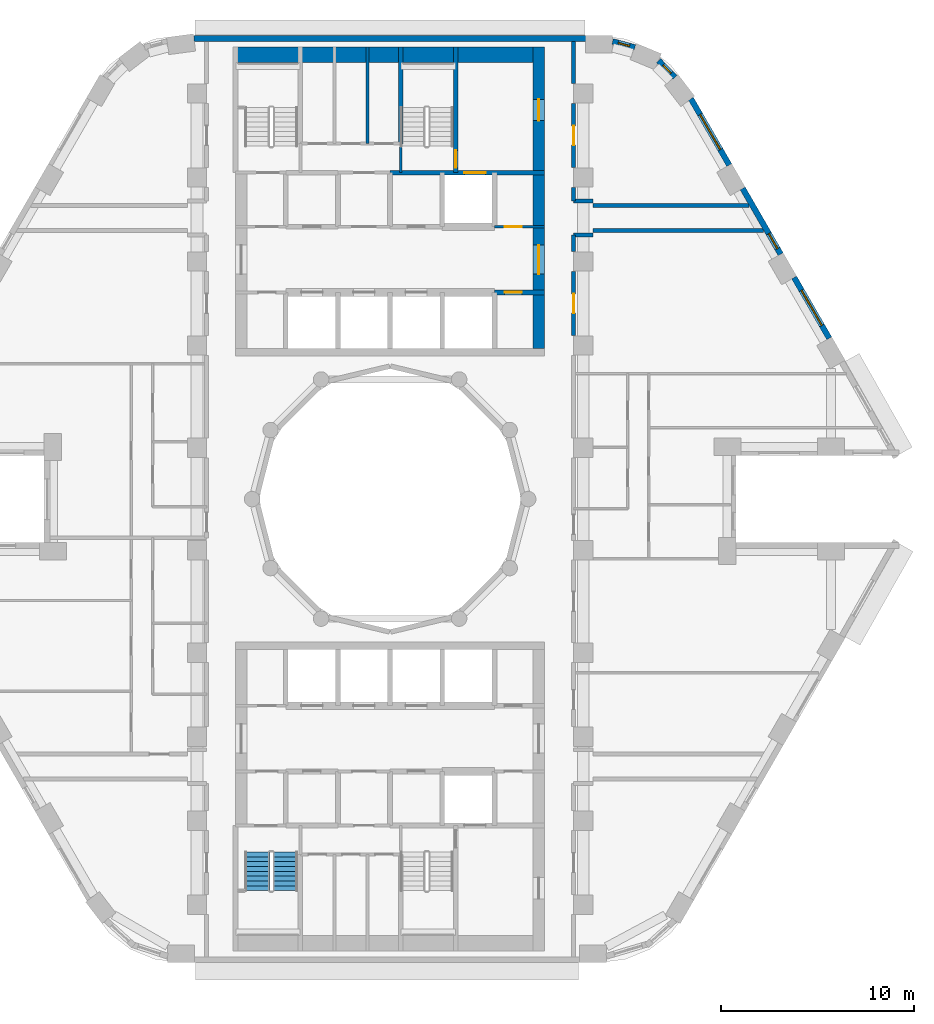
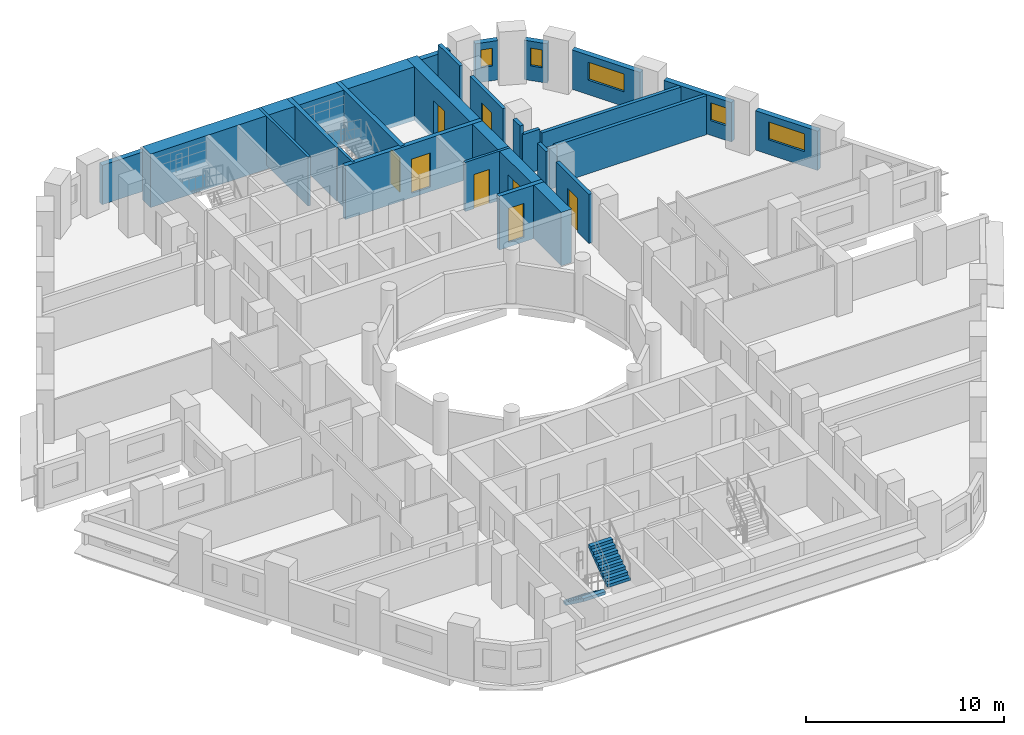
# One storey, part 8 of 12: 24 walls, 8 doors, 5 windows, 2 stair flights, 13 openings, 1 element without a shape of its own.
"""IFC4 building model written with IfcOpenShell, lengths in metres."""

from ifc_helpers import new_model, si_unit, direction, frame, frame_2d, origin, place, context, subcontext, project, spatial, polyline, rectangle, outline, extrude, material, layer, layer_set, type_object, element, fill, aggregate, save


model = new_model("IFC4")

# Units and contexts
model_context = context("Model", 3, precision=1e-05, world=origin(), true_north=direction((0.0, 1.0)))
body_context = subcontext(model_context, "Body", "Model", "MODEL_VIEW")
ifc_project = project(units=[si_unit("LENGTHUNIT", "METRE"), si_unit("AREAUNIT", "SQUARE_METRE"), si_unit("VOLUMEUNIT", "CUBIC_METRE"), si_unit("PLANEANGLEUNIT", "RADIAN"), si_unit("MASSUNIT", "GRAM", prefix="KILO")], contexts=[model_context])

# Site, building, storey
site_placement = place(None, origin())
site = spatial("IfcSite", under=ifc_project, at=site_placement, CompositionType="ELEMENT")
building_placement = place(site_placement, origin())
building = spatial("IfcBuilding", under=site, at=building_placement, Name="Nakaniwa Court", CompositionType="ELEMENT")
storey_placement = place(building_placement, frame((0.0, 0.0, 100.800048828125)))
storey = spatial("IfcBuildingStorey", under=building, at=storey_placement, Name="L26", CompositionType="ELEMENT", Elevation=100.800048828125)

# Wall, opening, door
ifc_material_1 = material(Name="Acoustic double stud partition")
ifc_layer_1 = layer(ifc_material_1, 0.199951171875)
ifc_layer_set_1 = layer_set([ifc_layer_1], Name="Acoustic double stud partition")
wall_type_1 = type_object("IfcWallType", Name="Acoustic double stud partition 200", PredefinedType="PARTITIONING", material=ifc_layer_set_1)
wall_1_placement = place(storey_placement, frame((89.5, 91.782958984375, 0.0), z_axis=(0.0, 0.0, 1.0), x_axis=(0.0, -1.0, 0.0)))
wall_1 = element("IfcWall", 1, at=wall_1_placement, inside=storey, type_object=wall_type_1, Name="Partition PW-076", PredefinedType="PARTITIONING", context=body_context, shape_type="SweptSolid", body=[
    extrude(rectangle(XDim=3.31591796875, YDim=0.199951171875, at=frame_2d((1.657958984375, 0.0))), origin(), (0.0, 0.0, 1.0), 3.02490234375),
])
opening_1_placement = place(wall_1_placement, frame((1.157958984375, 0.0, 0.0)))
opening_1 = element("IfcOpeningElement", 2, at=opening_1_placement, cuts=wall_1, Name="Opening D-02-02", PredefinedType="OPENING", context=body_context, shape_type="SweptSolid", body=[
    extrude(rectangle(XDim=1.0, YDim=2.10009765625, at=frame_2d((0.5, 1.050048828125))), frame((0.0, 0.10986328125, 0.0), z_axis=(0.0, -1.0, 0.0), x_axis=(1.0, 0.0, 0.0)), (0.0, 0.0, 1.0), 0.219970703125),
])
ifc_material_2 = material(Name="Solid core timber door set, black veneer", Category="wood")
door_type_1 = type_object("IfcDoorType", Name="Internal door 1000", OperationType="NOTDEFINED", PredefinedType="DOOR", material=ifc_material_2)
door_1_placement = place(opening_1_placement, origin())
door_1 = element("IfcDoor", 3, at=door_1_placement, inside=storey, type_object=door_type_1, Name="Door D-02-02 L26-034", OperationType="SINGLE_SWING_LEFT", OverallHeight=2.10009765625, OverallWidth=1.0, PredefinedType="DOOR", context=body_context, shape_type="SweptSolid", body=[
    extrude(rectangle(XDim=1.0, YDim=2.10009765625, at=frame_2d((0.5, 1.050048828125))), frame((0.0, 0.02490234375, 0.0), z_axis=(0.0, -1.0, 0.0), x_axis=(1.0, 0.0, 0.0)), (0.0, 0.0, 1.0), 0.050048828125),
])
fill(opening_1, door_1)

# Walls
wall_2_placement = place(storey_placement, frame((89.5, 92.81689453125, 0.0), z_axis=(0.0, 0.0, 1.0), x_axis=(0.0, 1.0, 0.0)))
element("IfcWall", 4, at=wall_2_placement, inside=storey, type_object=wall_type_1, Name="Partition PW-077", PredefinedType="PARTITIONING", context=body_context, shape_type="SweptSolid", body=[
    extrude(rectangle(XDim=0.861083984375, YDim=0.199951171875, at=frame_2d((0.4306640625, 0.0))), origin(), (0.0, 0.0, 1.0), 3.02490234375),
])
wall_3_placement = place(storey_placement, frame((89.5, 95.422119140625, 0.0), z_axis=(0.0, 0.0, 1.0), x_axis=(0.0, 1.0, 0.0)))
element("IfcWall", 5, at=wall_3_placement, inside=storey, type_object=wall_type_1, Name="Partition PW-078", PredefinedType="PARTITIONING", context=body_context, shape_type="SweptSolid", body=[
    extrude(rectangle(XDim=0.7109375, YDim=0.199951171875, at=frame_2d((0.35546875, 0.0))), origin(), (0.0, 0.0, 1.0), 3.02490234375),
])

# Wall, opening, door
wall_4_placement = place(storey_placement, frame((89.5, 100.48291015625, 0.0), z_axis=(0.0, 0.0, 1.0), x_axis=(0.0, -1.0, 0.0)))
wall_4 = element("IfcWall", 6, at=wall_4_placement, inside=storey, type_object=wall_type_1, Name="Partition PW-079", PredefinedType="PARTITIONING", context=body_context, shape_type="SweptSolid", body=[
    extrude(rectangle(XDim=3.31591796875, YDim=0.199951171875, at=frame_2d((1.657958984375, 0.0))), origin(), (0.0, 0.0, 1.0), 3.02490234375),
])
opening_2_placement = place(wall_4_placement, frame((1.157958984375, 0.0, 0.0)))
opening_2 = element("IfcOpeningElement", 7, at=opening_2_placement, cuts=wall_4, Name="Opening D-02-07", PredefinedType="OPENING", context=body_context, shape_type="SweptSolid", body=[
    extrude(rectangle(XDim=1.0, YDim=2.10009765625, at=frame_2d((0.5, 1.050048828125))), frame((0.0, 0.10986328125, 0.0), z_axis=(0.0, -1.0, 0.0), x_axis=(1.0, 0.0, 0.0)), (0.0, 0.0, 1.0), 0.219970703125),
])
door_2_placement = place(opening_2_placement, origin())
door_2 = element("IfcDoor", 8, at=door_2_placement, inside=storey, type_object=door_type_1, Name="Door D-02-07 L26-049", OperationType="SINGLE_SWING_RIGHT", OverallHeight=2.10009765625, OverallWidth=1.0, PredefinedType="DOOR", context=body_context, shape_type="SweptSolid", body=[
    extrude(rectangle(XDim=1.0, YDim=2.10009765625, at=frame_2d((0.5, 1.050048828125))), frame((0.0, 0.02490234375, 0.0), z_axis=(0.0, -1.0, 0.0), x_axis=(1.0, 0.0, 0.0)), (0.0, 0.0, 1.0), 0.050048828125),
])
fill(opening_2, door_2)

# Walls
wall_5_placement = place(storey_placement, frame((89.5, 101.51708984375, 0.0), z_axis=(0.0, 0.0, 1.0), x_axis=(0.0, 1.0, 0.0)))
element("IfcWall", 9, at=wall_5_placement, inside=storey, type_object=wall_type_1, Name="Partition PW-080", PredefinedType="PARTITIONING", context=body_context, shape_type="SweptSolid", body=[
    extrude(rectangle(XDim=2.182861328125, YDim=0.199951171875, at=frame_2d((1.09130859375, 0.0))), origin(), (0.0, 0.0, 1.0), 3.02490234375),
])
wall_6_placement = place(storey_placement, frame((90.5, 93.89990234375, 0.0), z_axis=(0.0, 0.0, 1.0), x_axis=(1.0, 0.0, 0.0)))
element("IfcWall", 10, at=wall_6_placement, inside=storey, type_object=wall_type_1, Name="Partition PW-082", PredefinedType="PARTITIONING", context=body_context, shape_type="SweptSolid", body=[
    extrude(rectangle(XDim=8.84130859375, YDim=0.199951171875, at=frame_2d((4.420654296875, 0.0))), origin(), (0.0, 0.0, 1.0), 2.405029296875),
])
for number, where, z_axis, x_axis, name in (
    (11, (89.5, 93.675048828125, 0.0), (0.0, 0.0, 1.0), (1.0, 0.0, 0.0), "Partition PW-084"),
    (12, (89.5, 95.425048828125, 0.0), (0.0, 0.0, 1.0), (1.0, 0.0, 0.0), "Partition PW-086"),
):
    element("IfcWall", number, at=place(storey_placement, frame(where, z_axis=z_axis, x_axis=x_axis)), inside=storey, type_object=wall_type_1, Name=name, PredefinedType="PARTITIONING", context=body_context, shape_type="SweptSolid", body=[
        extrude(rectangle(XDim=1.0, YDim=0.199951171875, at=frame_2d((0.5, 0.0))), origin(), (0.0, 0.0, 1.0), 2.5048828125),
    ])
wall_7_placement = place(storey_placement, frame((90.5, 95.199951171875, 0.0), z_axis=(0.0, 0.0, 1.0), x_axis=(1.0, 0.0, 0.0)))
element("IfcWall", 13, at=wall_7_placement, inside=storey, type_object=wall_type_1, Name="Partition PW-088", PredefinedType="PARTITIONING", context=body_context, shape_type="SweptSolid", body=[
    extrude(rectangle(XDim=8.0908203125, YDim=0.199951171875, at=frame_2d((4.04541015625, 0.0))), origin(), (0.0, 0.0, 1.0), 2.405029296875),
])

# Wall, opening, window
ifc_material_3 = material(Name="Charcoal ceramic cladding")
ifc_layer_2 = layer(ifc_material_3, 0.02, Name="Ceramic cladding")
ifc_material_4 = material(Name="Ventilated air cavity")
ifc_layer_3 = layer(ifc_material_4, 0.04, ventilated=True, Name="Ventilated cavity")
ifc_material_5 = material(Name="Mineral wool insulation")
ifc_layer_4 = layer(ifc_material_5, 0.1, Name="Insulation")
ifc_material_6 = material(Name="Cement bonded sheathing board")
ifc_layer_5 = layer(ifc_material_6, 0.012, Name="Sheathing")
ifc_material_7 = material(Name="Cold-formed galvanised stud frame with mineral wool infill")
ifc_layer_6 = layer(ifc_material_7, 0.1, Name="Stud frame")
ifc_material_8 = material(Name="Fire-rated gypsum plasterboard lining")
ifc_layer_7 = layer(ifc_material_8, 0.028, Name="Lining")
ifc_layer_set_2 = layer_set([ifc_layer_2, ifc_layer_3, ifc_layer_4, ifc_layer_5, ifc_layer_6, ifc_layer_7], Name="Charcoal ceramic faced external wall system")
wall_type_2 = type_object("IfcWallType", Name="Black ceramic faced external wall 300", PredefinedType="SOLIDWALL", material=ifc_layer_set_2)
wall_8_placement = place(storey_placement, frame((102.734619140625, 88.322509765625, 0.0), z_axis=(0.0, 0.0, 1.0), x_axis=(-0.500009139881, 0.866020126807, 0.0)))
wall_8 = element("IfcWall", 14, at=wall_8_placement, inside=storey, type_object=wall_type_2, Name="L26 external wall 03", PredefinedType="SOLIDWALL", context=body_context, shape_type="SweptSolid", body=[
    extrude(rectangle(XDim=3.63671875, YDim=0.300048828125, at=frame_2d((1.818359375, 0.0))), origin(), (0.0, 0.0, 1.0), 2.425048828125),
])
opening_3_placement = place(wall_8_placement, frame((0.768310546875, 0.0, 0.89990234375)))
opening_3 = element("IfcOpeningElement", 15, at=opening_3_placement, cuts=wall_8, Name="Opening W7.05", PredefinedType="OPENING", context=body_context, shape_type="SweptSolid", body=[
    extrude(rectangle(XDim=2.10009765625, YDim=1.10009765625, at=frame_2d((1.050048828125, 0.550048828125))), frame((0.0, 0.159912109375, 0.0), z_axis=(0.0, -1.0, 0.0), x_axis=(1.0, 0.0, 0.0)), (0.0, 0.0, 1.0), 0.320068359375),
])
ifc_material_9 = material(Name="Black anodised aluminium frame with dark low-E laminated double glazing", Category="aluminium")
window_type_1 = type_object("IfcWindowType", Name="Dark glass window 2100x1100 sill 900", PartitioningType="SINGLE_PANEL", PredefinedType="WINDOW", material=ifc_material_9)
window_1_placement = place(opening_3_placement, origin())
window_1 = element("IfcWindow", 16, at=window_1_placement, inside=storey, type_object=window_type_1, Name="L26 habitable room window 03-0", OverallHeight=1.10009765625, OverallWidth=2.10009765625, PartitioningType="SINGLE_PANEL", PredefinedType="WINDOW", context=body_context, shape_type="SweptSolid", body=[
    extrude(rectangle(XDim=2.10009765625, YDim=1.10009765625, at=frame_2d((1.050048828125, 0.550048828125))), frame((0.0, 0.030029296875, 0.0), z_axis=(0.0, -1.0, 0.0), x_axis=(1.0, 0.0, 0.0)), (0.0, 0.0, 1.0), 0.06005859375),
])
fill(opening_3, window_1)

wall_9_placement = place(storey_placement, frame((100.22021484375, 92.677490234375, 0.0), z_axis=(0.0, 0.0, 1.0), x_axis=(-0.499957037901, 0.866050206543, 0.0)))
wall_9 = element("IfcWall", 17, at=wall_9_placement, inside=storey, type_object=wall_type_2, Name="L26 external wall 04", PredefinedType="SOLIDWALL", context=body_context, shape_type="SweptSolid", body=[
    extrude(rectangle(XDim=3.933837890625, YDim=0.300048828125, at=frame_2d((1.966796875, 0.0))), origin(), (0.0, 0.0, 1.0), 2.425048828125),
])
opening_4_placement = place(wall_9_placement, frame((0.329833984375, 0.0, 0.89990234375)))
opening_4 = element("IfcOpeningElement", 18, at=opening_4_placement, cuts=wall_9, Name="Opening W9.06", PredefinedType="OPENING", context=body_context, shape_type="SweptSolid", body=[
    extrude(rectangle(XDim=0.89990234375, YDim=1.10009765625, at=frame_2d((0.449951171875, 0.550048828125))), frame((0.0, 0.159912109375, 0.0), z_axis=(0.0, -1.0, 0.0), x_axis=(1.0, 0.0, 0.0)), (0.0, 0.0, 1.0), 0.320068359375),
])
window_type_2 = type_object("IfcWindowType", Name="Dark glass window 900x1100 sill 900", PartitioningType="SINGLE_PANEL", PredefinedType="WINDOW", material=ifc_material_9)
window_2_placement = place(opening_4_placement, origin())
window_2 = element("IfcWindow", 19, at=window_2_placement, inside=storey, type_object=window_type_2, Name="L26 habitable room window 04-0", OverallHeight=1.10009765625, OverallWidth=0.89990234375, PartitioningType="SINGLE_PANEL", PredefinedType="WINDOW", context=body_context, shape_type="SweptSolid", body=[
    extrude(rectangle(XDim=0.89990234375, YDim=1.10009765625, at=frame_2d((0.449951171875, 0.550048828125))), frame((0.0, 0.030029296875, 0.0), z_axis=(0.0, -1.0, 0.0), x_axis=(1.0, 0.0, 0.0)), (0.0, 0.0, 1.0), 0.06005859375),
])
fill(opening_4, window_2)

wall_10_placement = place(storey_placement, frame((97.557373046875, 97.289794921875, 0.0), z_axis=(0.0, 0.0, 1.0), x_axis=(-0.500043828347, 0.866000097998, 0.0)))
wall_10 = element("IfcWall", 20, at=wall_10_placement, inside=storey, type_object=wall_type_2, Name="L26 external wall 05", PredefinedType="SOLIDWALL", context=body_context, shape_type="SweptSolid", body=[
    extrude(rectangle(XDim=3.967529296875, YDim=0.300048828125, at=frame_2d((1.98388671875, 0.0))), origin(), (0.0, 0.0, 1.0), 2.425048828125),
])
opening_5_placement = place(wall_10_placement, frame((0.92236328125, 0.0, 0.89990234375)))
opening_5 = element("IfcOpeningElement", 21, at=opening_5_placement, cuts=wall_10, Name="Opening W7.07", PredefinedType="OPENING", context=body_context, shape_type="SweptSolid", body=[
    extrude(rectangle(XDim=2.10009765625, YDim=1.10009765625, at=frame_2d((1.050048828125, 0.550048828125))), frame((0.0, 0.159912109375, 0.0), z_axis=(0.0, -1.0, 0.0), x_axis=(1.0, 0.0, 0.0)), (0.0, 0.0, 1.0), 0.320068359375),
])
window_3_placement = place(opening_5_placement, origin())
window_3 = element("IfcWindow", 22, at=window_3_placement, inside=storey, type_object=window_type_1, Name="L26 habitable room window 05-0", OverallHeight=1.10009765625, OverallWidth=2.10009765625, PartitioningType="SINGLE_PANEL", PredefinedType="WINDOW", context=body_context, shape_type="SweptSolid", body=[
    extrude(rectangle(XDim=2.10009765625, YDim=1.10009765625, at=frame_2d((1.050048828125, 0.550048828125))), frame((0.0, 0.030029296875, 0.0), z_axis=(0.0, -1.0, 0.0), x_axis=(1.0, 0.0, 0.0)), (0.0, 0.0, 1.0), 0.06005859375),
])
fill(opening_5, window_3)

wall_11_placement = place(storey_placement, frame((94.738037109375, 101.839111328125, 0.0), z_axis=(0.0, 0.0, 1.0), x_axis=(-0.697032216592, 0.717039809936, 0.0)))
wall_11 = element("IfcWall", 23, at=wall_11_placement, inside=storey, type_object=wall_type_2, Name="L26 external wall 06", PredefinedType="SOLIDWALL", context=body_context, shape_type="SweptSolid", body=[
    extrude(rectangle(XDim=1.2080078125, YDim=0.300048828125, at=frame_2d((0.60400390625, 0.0))), origin(), (0.0, 0.0, 1.0), 2.425048828125),
])
opening_6_placement = place(wall_11_placement, frame((0.279296875, 0.0, 0.89990234375)))
opening_6 = element("IfcOpeningElement", 24, at=opening_6_placement, cuts=wall_11, Name="Opening W8.08", PredefinedType="OPENING", context=body_context, shape_type="SweptSolid", body=[
    extrude(rectangle(XDim=0.60009765625, YDim=1.10009765625, at=frame_2d((0.300048828125, 0.550048828125))), frame((0.0, 0.159912109375, 0.0), z_axis=(0.0, -1.0, 0.0), x_axis=(1.0, 0.0, 0.0)), (0.0, 0.0, 1.0), 0.320068359375),
])
window_type_3 = type_object("IfcWindowType", Name="Dark glass window 600x1100 sill 900", PartitioningType="SINGLE_PANEL", PredefinedType="WINDOW", material=ifc_material_9)
window_4_placement = place(opening_6_placement, origin())
window_4 = element("IfcWindow", 25, at=window_4_placement, inside=storey, type_object=window_type_3, Name="L26 habitable room window 06-0", OverallHeight=1.10009765625, OverallWidth=0.60009765625, PartitioningType="SINGLE_PANEL", PredefinedType="WINDOW", context=body_context, shape_type="SweptSolid", body=[
    extrude(rectangle(XDim=0.60009765625, YDim=1.10009765625, at=frame_2d((0.300048828125, 0.550048828125))), frame((0.0, 0.030029296875, 0.0), z_axis=(0.0, -1.0, 0.0), x_axis=(1.0, 0.0, 0.0)), (0.0, 0.0, 1.0), 0.06005859375),
])
fill(opening_6, window_4)

wall_12_placement = place(storey_placement, frame((92.669189453125, 103.3818359375, 0.0), z_axis=(0.0, 0.0, 1.0), x_axis=(-0.965278131029, 0.261224290136, 0.0)))
wall_12 = element("IfcWall", 26, at=wall_12_placement, inside=storey, type_object=wall_type_2, Name="L26 external wall 07", PredefinedType="SOLIDWALL", context=body_context, shape_type="SweptSolid", body=[
    extrude(rectangle(XDim=1.189697265625, YDim=0.300048828125, at=frame_2d((0.5947265625, 0.0))), origin(), (0.0, 0.0, 1.0), 2.425048828125),
])
opening_7_placement = place(wall_12_placement, frame((0.28466796875, 0.0, 0.89990234375)))
opening_7 = element("IfcOpeningElement", 27, at=opening_7_placement, cuts=wall_12, Name="Opening W8.09", PredefinedType="OPENING", context=body_context, shape_type="SweptSolid", body=[
    extrude(rectangle(XDim=0.60009765625, YDim=1.10009765625, at=frame_2d((0.300048828125, 0.550048828125))), frame((0.0, 0.159912109375, 0.0), z_axis=(0.0, -1.0, 0.0), x_axis=(1.0, 0.0, 0.0)), (0.0, 0.0, 1.0), 0.320068359375),
])
window_5_placement = place(opening_7_placement, origin())
window_5 = element("IfcWindow", 28, at=window_5_placement, inside=storey, type_object=window_type_3, Name="L26 habitable room window 07-0", OverallHeight=1.10009765625, OverallWidth=0.60009765625, PartitioningType="SINGLE_PANEL", PredefinedType="WINDOW", context=body_context, shape_type="SweptSolid", body=[
    extrude(rectangle(XDim=0.60009765625, YDim=1.10009765625, at=frame_2d((0.300048828125, 0.550048828125))), frame((0.0, 0.030029296875, 0.0), z_axis=(0.0, -1.0, 0.0), x_axis=(1.0, 0.0, 0.0)), (0.0, 0.0, 1.0), 0.06005859375),
])
fill(opening_7, window_5)

# Wall
wall_13_placement = place(storey_placement, frame((90.128662109375, 103.85009765625, 0.0), z_axis=(0.0, 0.0, 1.0), x_axis=(-1.0, 0.0, 0.0)))
element("IfcWall", 29, at=wall_13_placement, inside=storey, type_object=wall_type_2, Name="L26 external wall 08", PredefinedType="SOLIDWALL", context=body_context, shape_type="SweptSolid", body=[
    extrude(rectangle(XDim=20.290771484375, YDim=0.300048828125, at=frame_2d((10.1455078125, 0.0))), origin(), (0.0, 0.0, 1.0), 2.425048828125),
])

# Wall, opening, door
ifc_material_10 = material(Name="Blockwork partition", Category="masonry")
ifc_layer_8 = layer(ifc_material_10, 0.14990234375)
ifc_layer_set_3 = layer_set([ifc_layer_8], Name="Blockwork partition")
wall_type_3 = type_object("IfcWallType", Name="Blockwork partition 150", PredefinedType="PARTITIONING", material=ifc_layer_set_3)
wall_14_placement = place(storey_placement, frame((85.39697265625, 94.10009765625, 0.0), z_axis=(0.0, 0.0, 1.0), x_axis=(1.0, 0.0, 0.0)))
wall_14 = element("IfcWall", 30, at=wall_14_placement, inside=storey, type_object=wall_type_3, Name="Partition PW-018", PredefinedType="PARTITIONING", context=body_context, shape_type="SweptSolid", body=[
    extrude(rectangle(XDim=2.60302734375, YDim=0.14990234375, at=frame_2d((1.301513671875, 0.0))), origin(), (0.0, 0.0, 1.0), 3.02490234375),
])
opening_8_placement = place(wall_14_placement, frame((0.528076171875, 0.0, 0.0)))
opening_8 = element("IfcOpeningElement", 31, at=opening_8_placement, cuts=wall_14, Name="Opening D-05-05", PredefinedType="OPENING", context=body_context, shape_type="SweptSolid", body=[
    extrude(rectangle(XDim=0.89990234375, YDim=2.10009765625, at=frame_2d((0.449951171875, 1.050048828125))), frame((0.0, 0.0849609375, 0.0), z_axis=(0.0, -1.0, 0.0), x_axis=(1.0, 0.0, 0.0)), (0.0, 0.0, 1.0), 0.169921875),
])
ifc_material_11 = material(Name="Fire rated steel door set", Category="steel")
door_type_2 = type_object("IfcDoorType", Name="Service room door 900", OperationType="NOTDEFINED", PredefinedType="DOOR", material=ifc_material_11)
door_3_placement = place(opening_8_placement, origin())
door_3 = element("IfcDoor", 32, at=door_3_placement, inside=storey, type_object=door_type_2, Name="Door D-05-05 L26-007", OperationType="SINGLE_SWING_RIGHT", OverallHeight=2.10009765625, OverallWidth=0.89990234375, PredefinedType="DOOR", context=body_context, shape_type="SweptSolid", body=[
    extrude(rectangle(XDim=0.89990234375, YDim=2.10009765625, at=frame_2d((0.449951171875, 1.050048828125))), frame((0.0, 0.02490234375, 0.0), z_axis=(0.0, -1.0, 0.0), x_axis=(1.0, 0.0, 0.0)), (0.0, 0.0, 1.0), 0.050048828125),
])
fill(opening_8, door_3)

# Wall
wall_15_placement = place(storey_placement, frame((78.833984375, 98.39990234375, 0.0), z_axis=(0.0, 0.0, 1.0), x_axis=(0.0, 1.0, 0.0)))
element("IfcWall", 33, at=wall_15_placement, inside=storey, type_object=wall_type_3, Name="Partition PW-034", PredefinedType="PARTITIONING", context=body_context, shape_type="SweptSolid", body=[
    extrude(rectangle(XDim=5.0, YDim=0.14990234375, at=frame_2d((2.5, 0.0))), origin(), (0.0, 0.0, 1.0), 3.02490234375),
])

# Wall, openings, doors
ifc_material_12 = material(Name="Concrete C80/100", Category="concrete")
ifc_layer_9 = layer(ifc_material_12, 0.60009765625)
ifc_layer_set_4 = layer_set([ifc_layer_9], Name="Concrete C80/100")
wall_type_4 = type_object("IfcWallType", Name="Concrete core side wall 600 C80", PredefinedType="SHEAR", material=ifc_layer_set_4)
wall_16_placement = place(storey_placement, frame((87.699951171875, 103.39990234375, -0.275146484375), z_axis=(0.0, 0.0, 1.0), x_axis=(0.0, -1.0, 0.0)))
wall_16 = element("IfcWall", 34, at=wall_16_placement, inside=storey, type_object=wall_type_4, Name="Core wall SW-15", PredefinedType="SHEAR", context=body_context, shape_type="SweptSolid", body=[
    extrude(rectangle(XDim=15.599853515625, YDim=0.60009765625, at=frame_2d((7.7998046875, 0.0))), origin(), (0.0, 0.0, 1.0), 3.300048828125),
])
opening_9_placement = place(wall_16_placement, frame((10.25, 0.0, 0.27490234375)))
opening_9 = element("IfcOpeningElement", 35, at=opening_9_placement, cuts=wall_16, Name="Opening D-07-01", PredefinedType="OPENING", context=body_context, shape_type="SweptSolid", body=[
    extrude(rectangle(XDim=1.5, YDim=2.10009765625, at=frame_2d((0.75, 1.050048828125))), frame((0.0, 0.31005859375, 0.0), z_axis=(0.0, -1.0, 0.0), x_axis=(1.0, 0.0, 0.0)), (0.0, 0.0, 1.0), 0.6201171875),
])
opening_10_placement = place(wall_16_placement, frame((2.699951171875, 0.0, 0.27490234375)))
opening_10 = element("IfcOpeningElement", 36, at=opening_10_placement, cuts=wall_16, Name="Opening D-10-01", PredefinedType="OPENING", context=body_context, shape_type="SweptSolid", body=[
    extrude(rectangle(XDim=1.10009765625, YDim=2.10009765625, at=frame_2d((0.550048828125, 1.050048828125))), frame((0.0, 0.31005859375, 0.0), z_axis=(0.0, -1.0, 0.0), x_axis=(1.0, 0.0, 0.0)), (0.0, 0.0, 1.0), 0.6201171875),
])
door_type_3 = type_object("IfcDoorType", Name="Firefighting lobby door 1100", OperationType="NOTDEFINED", PredefinedType="DOOR", material=ifc_material_11)
door_4_placement = place(opening_10_placement, origin())
door_4 = element("IfcDoor", 37, at=door_4_placement, inside=storey, type_object=door_type_3, Name="Door D-10-01 L26-053", OperationType="SINGLE_SWING_RIGHT", OverallHeight=2.10009765625, OverallWidth=1.10009765625, PredefinedType="DOOR", context=body_context, shape_type="SweptSolid", body=[
    extrude(rectangle(XDim=1.10009765625, YDim=2.10009765625, at=frame_2d((0.550048828125, 1.050048828125))), frame((0.0, 0.02490234375, 0.0), z_axis=(0.0, -1.0, 0.0), x_axis=(1.0, 0.0, 0.0)), (0.0, 0.0, 1.0), 0.050048828125),
])
fill(opening_10, door_4)
ifc_material_13 = material(Name="Glazed fire rated steel double door set", Category="steel")
door_type_4 = type_object("IfcDoorType", Name="Lobby double door 1500", OperationType="NOTDEFINED", PredefinedType="DOOR", material=ifc_material_13)
door_5_placement = place(opening_9_placement, origin())
door_5 = element("IfcDoor", 38, at=door_5_placement, inside=storey, type_object=door_type_4, Name="Door D-07-01 L26-051", OperationType="DOUBLE_DOOR_SINGLE_SWING", OverallHeight=2.10009765625, OverallWidth=1.5, PredefinedType="DOOR", context=body_context, shape_type="SweptSolid", body=[
    extrude(rectangle(XDim=1.5, YDim=2.10009765625, at=frame_2d((0.75, 1.050048828125))), frame((0.0, 0.02490234375, 0.0), z_axis=(0.0, -1.0, 0.0), x_axis=(1.0, 0.0, 0.0)), (0.0, 0.0, 1.0), 0.050048828125),
])
fill(opening_9, door_5)

# Walls
ifc_layer_10 = layer(ifc_material_12, 0.14990234375)
ifc_layer_set_5 = layer_set([ifc_layer_10], Name="Concrete C80/100")
wall_type_5 = type_object("IfcWallType", Name="Concrete core wall 150 C80", PredefinedType="SHEAR", material=ifc_layer_set_5)
wall_17_placement = place(storey_placement, frame((80.550048828125, 96.89990234375, -0.275146484375), z_axis=(0.0, 0.0, 1.0), x_axis=(0.0, 1.0, 0.0)))
element("IfcWall", 39, at=wall_17_placement, inside=storey, type_object=wall_type_5, Name="Core wall SW-30", PredefinedType="SHEAR", context=body_context, shape_type="SweptSolid", body=[
    extrude(rectangle(XDim=1.503173828125, YDim=0.14990234375, at=frame_2d((0.75146484375, 0.0))), origin(), (0.0, 0.0, 1.0), 3.300048828125),
])
ifc_layer_11 = layer(ifc_material_12, 0.800048828125)
ifc_layer_set_6 = layer_set([ifc_layer_11], Name="Concrete C80/100")
wall_type_6 = type_object("IfcWallType", Name="Concrete core wall 800 C80", PredefinedType="SHEAR", material=ifc_layer_set_6)
wall_18_placement = place(storey_placement, frame((72.00390625, 103.0, -0.275146484375), z_axis=(0.0, 0.0, 1.0), x_axis=(1.0, 0.0, 0.0)))
element("IfcWall", 40, at=wall_18_placement, inside=storey, type_object=wall_type_6, Name="Core wall SW-130", PredefinedType="SHEAR", context=body_context, shape_type="SweptSolid", body=[
    extrude(rectangle(XDim=15.9921875, YDim=0.800048828125, at=frame_2d((7.99609375, 0.0))), origin(), (0.0, 0.0, 1.0), 3.300048828125),
])

# Wall, opening, door
ifc_layer_12 = layer(ifc_material_12, 0.25)
ifc_layer_set_7 = layer_set([ifc_layer_12], Name="Concrete C80/100")
wall_type_7 = type_object("IfcWallType", Name="Concrete shaft wall 250 C80", PredefinedType="SHEAR", material=ifc_layer_set_7)
wall_19_placement = place(storey_placement, frame((88.0, 90.699951171875, -0.275146484375), z_axis=(0.0, 0.0, 1.0), x_axis=(-1.0, 0.0, 0.0)))
wall_19 = element("IfcWall", 41, at=wall_19_placement, inside=storey, type_object=wall_type_7, Name="Core wall SW-14", PredefinedType="SHEAR", context=body_context, shape_type="SweptSolid", body=[
    extrude(rectangle(XDim=2.60009765625, YDim=0.25, at=frame_2d((1.300048828125, 0.0))), origin(), (0.0, 0.0, 1.0), 3.300048828125),
])
opening_11_placement = place(wall_19_placement, frame((1.175048828125, 0.0, 0.27490234375)))
opening_11 = element("IfcOpeningElement", 42, at=opening_11_placement, cuts=wall_19, Name="Opening D-05-02", PredefinedType="OPENING", context=body_context, shape_type="SweptSolid", body=[
    extrude(rectangle(XDim=0.89990234375, YDim=2.10009765625, at=frame_2d((0.449951171875, 1.050048828125))), frame((0.0, 0.135009765625, 0.0), z_axis=(0.0, -1.0, 0.0), x_axis=(1.0, 0.0, 0.0)), (0.0, 0.0, 1.0), 0.27001953125),
])
door_6_placement = place(opening_11_placement, origin())
door_6 = element("IfcDoor", 43, at=door_6_placement, inside=storey, type_object=door_type_2, Name="Door D-05-02 L26-002", OperationType="SINGLE_SWING_LEFT", OverallHeight=2.10009765625, OverallWidth=0.89990234375, PredefinedType="DOOR", context=body_context, shape_type="SweptSolid", body=[
    extrude(rectangle(XDim=0.89990234375, YDim=2.10009765625, at=frame_2d((0.449951171875, 1.050048828125))), frame((0.0, 0.02490234375, 0.0), z_axis=(0.0, -1.0, 0.0), x_axis=(1.0, 0.0, 0.0)), (0.0, 0.0, 1.0), 0.050048828125),
])
fill(opening_11, door_6)

wall_20_placement = place(storey_placement, frame((80.0, 96.89990234375, -0.275146484375), z_axis=(0.0, 0.0, 1.0), x_axis=(1.0, 0.0, 0.0)))
wall_20 = element("IfcWall", 44, at=wall_20_placement, inside=storey, type_object=wall_type_7, Name="Core wall SW-24", PredefinedType="SHEAR", context=body_context, shape_type="SweptSolid", body=[
    extrude(rectangle(XDim=8.0, YDim=0.25, at=frame_2d((4.0, 0.0))), origin(), (0.0, 0.0, 1.0), 3.300048828125),
])
opening_12_placement = place(wall_20_placement, frame((3.84912109375, 0.0, 0.27490234375)))
opening_12 = element("IfcOpeningElement", 45, at=opening_12_placement, cuts=wall_20, Name="Opening LD04", PredefinedType="OPENING", context=body_context, shape_type="SweptSolid", body=[
    extrude(rectangle(XDim=1.10009765625, YDim=2.10009765625, at=frame_2d((0.550048828125, 1.050048828125))), frame((0.0, 0.135009765625, 0.0), z_axis=(0.0, -1.0, 0.0), x_axis=(1.0, 0.0, 0.0)), (0.0, 0.0, 1.0), 0.27001953125),
])
ifc_material_14 = material(Name="Stainless steel sliding lift landing door", Category="steel")
door_type_5 = type_object("IfcDoorType", Name="Lift landing door 1100", OperationType="NOTDEFINED", PredefinedType="DOOR", material=ifc_material_14)
door_7_placement = place(opening_12_placement, origin())
door_7 = element("IfcDoor", 46, at=door_7_placement, inside=storey, type_object=door_type_5, Name="Lift landing door LD04 L26-004", OperationType="SLIDING_TO_LEFT", OverallHeight=2.10009765625, OverallWidth=1.10009765625, PredefinedType="DOOR", context=body_context, shape_type="SweptSolid", body=[
    extrude(rectangle(XDim=1.10009765625, YDim=2.10009765625, at=frame_2d((0.550048828125, 1.050048828125))), frame((0.0, 0.02490234375, 0.0), z_axis=(0.0, -1.0, 0.0), x_axis=(1.0, 0.0, 0.0)), (0.0, 0.0, 1.0), 0.050048828125),
])
fill(opening_12, door_7)

wall_21_placement = place(storey_placement, frame((83.39990234375, 103.39990234375, -0.275146484375), z_axis=(0.0, 0.0, 1.0), x_axis=(0.0, -1.0, 0.0)))
wall_21 = element("IfcWall", 47, at=wall_21_placement, inside=storey, type_object=wall_type_7, Name="Core wall SW-29", PredefinedType="SHEAR", context=body_context, shape_type="SweptSolid", body=[
    extrude(rectangle(XDim=6.5, YDim=0.25, at=frame_2d((3.25, 0.0))), origin(), (0.0, 0.0, 1.0), 3.300048828125),
])
opening_13_placement = place(wall_21_placement, frame((5.35009765625, 0.0, 0.27490234375)))
opening_13 = element("IfcOpeningElement", 48, at=opening_13_placement, cuts=wall_21, Name="Opening D-11-01", PredefinedType="OPENING", context=body_context, shape_type="SweptSolid", body=[
    extrude(rectangle(XDim=0.89990234375, YDim=2.10009765625, at=frame_2d((0.449951171875, 1.050048828125))), frame((0.0, 0.135009765625, 0.0), z_axis=(0.0, -1.0, 0.0), x_axis=(1.0, 0.0, 0.0)), (0.0, 0.0, 1.0), 0.27001953125),
])
door_type_6 = type_object("IfcDoorType", Name="Stair door 900", OperationType="NOTDEFINED", PredefinedType="DOOR", material=ifc_material_11)
door_8_placement = place(opening_13_placement, origin())
door_8 = element("IfcDoor", 49, at=door_8_placement, inside=storey, type_object=door_type_6, Name="Door D-11-01 L26-013", OperationType="SINGLE_SWING_LEFT", OverallHeight=2.10009765625, OverallWidth=0.89990234375, PredefinedType="DOOR", context=body_context, shape_type="SweptSolid", body=[
    extrude(rectangle(XDim=0.89990234375, YDim=2.10009765625, at=frame_2d((0.449951171875, 1.050048828125))), frame((0.0, 0.02490234375, 0.0), z_axis=(0.0, -1.0, 0.0), x_axis=(1.0, 0.0, 0.0)), (0.0, 0.0, 1.0), 0.050048828125),
])
fill(opening_13, door_8)

# Wall
wall_22_placement = place(storey_placement, frame((80.550048828125, 98.39697265625, -0.275146484375), z_axis=(0.0, 0.0, 1.0), x_axis=(0.0, 1.0, 0.0)))
element("IfcWall", 50, at=wall_22_placement, inside=storey, type_object=wall_type_7, Name="Core wall SW-31", PredefinedType="SHEAR", context=body_context, shape_type="SweptSolid", body=[
    extrude(rectangle(XDim=5.0029296875, YDim=0.25, at=frame_2d((2.50146484375, 0.0))), origin(), (0.0, 0.0, 1.0), 3.300048828125),
])

# Stair, stair flights
stair_type = type_object("IfcStairType", Name="Dog leg stair 1300 wide 18 risers", PredefinedType="HALF_TURN_STAIR", material=ifc_material_12)
stair_placement = place(storey_placement, origin())
stair = element("IfcStair", 51, at=stair_placement, inside=storey, type_object=stair_type, Name="L26 Stair ST3", PredefinedType="HALF_TURN_STAIR")
stair_flight_type = type_object("IfcStairFlightType", Name="Stair flight 1300 wide 9 risers", PredefinedType="STRAIGHT", material=ifc_material_12)
stair_flight_1_placement = place(storey_placement, frame((73.125, 61.72509765625, 0.0), z_axis=(0.0, 0.0, 1.0), x_axis=(0.0, -1.0, 0.0)))
stair_flight_1 = element("IfcStairFlight", 52, at=stair_flight_1_placement, type_object=stair_flight_type, Name="ST3 flight 1", NumberOfRisers=9, NumberOfTreads=8, PredefinedType="STRAIGHT", RiserHeight=0.183333333, TreadLength=0.25, context=body_context, shape_type="SweptSolid", body=[
    extrude(outline(polyline([(0.0, 0.0), (0.0, 0.026123046875), (0.0, 0.052490234375), (0.0, 0.07861328125), (0.0, 0.104736328125), (0.0, 0.130859375), (0.0, 0.1572265625), (0.0, 0.183349609375), (0.25, 0.183349609375), (0.25, 0.36669921875), (0.5, 0.36669921875), (0.5, 0.550048828125), (0.75, 0.550048828125), (0.75, 0.7333984375), (1.0, 0.7333984375), (1.0, 0.916748046875), (1.25, 0.916748046875), (1.25, 1.10009765625), (1.5, 1.10009765625), (1.5, 1.283447265625), (1.75, 1.283447265625), (1.75, 1.466552734375), (2.0, 1.466552734375), (2.0, 1.64990234375), (2.0, 1.59716796875), (2.0, 1.54443359375), (2.0, 1.49169921875), (2.0, 1.43896484375), (2.0, 1.38623046875), (2.0, 1.33349609375), (2.0, 1.28076171875), (0.25341796875, 0.0), (0.0, 0.0)])), frame((0.0, 0.64990234375, 0.0), z_axis=(0.0, -1.0, 0.0), x_axis=(1.0, 0.0, 0.0)), (0.0, 0.0, 1.0), 1.300048828125),
])
stair_flight_2_placement = place(storey_placement, frame((74.574951171875, 59.72509765625, 1.64990234375), z_axis=(0.0, 0.0, 1.0), x_axis=(0.0, 1.0, 0.0)))
stair_flight_2 = element("IfcStairFlight", 53, at=stair_flight_2_placement, type_object=stair_flight_type, Name="ST3 flight 2", NumberOfRisers=9, NumberOfTreads=8, PredefinedType="STRAIGHT", RiserHeight=0.183333333, TreadLength=0.25, context=body_context, shape_type="SweptSolid", body=[
    extrude(outline(polyline([(0.0, 0.0), (0.0, 0.026123046875), (0.0, 0.052490234375), (0.0, 0.07861328125), (0.0, 0.104736328125), (0.0, 0.130859375), (0.0, 0.1572265625), (0.0, 0.183349609375), (0.25, 0.183349609375), (0.25, 0.36669921875), (0.5, 0.36669921875), (0.5, 0.550048828125), (0.75, 0.550048828125), (0.75, 0.7333984375), (1.0, 0.7333984375), (1.0, 0.916748046875), (1.25, 0.916748046875), (1.25, 1.10009765625), (1.5, 1.10009765625), (1.5, 1.283447265625), (1.75, 1.283447265625), (1.75, 1.466552734375), (2.0, 1.466552734375), (2.0, 1.64990234375), (2.0, 1.59716796875), (2.0, 1.54443359375), (2.0, 1.49169921875), (2.0, 1.43896484375), (2.0, 1.38623046875), (2.0, 1.33349609375), (2.0, 1.28076171875), (0.25341796875, 0.0), (0.0, 0.0)])), frame((0.0, 0.64990234375, 0.0), z_axis=(0.0, -1.0, 0.0), x_axis=(1.0, 0.0, 0.0)), (0.0, 0.0, 1.0), 1.300048828125),
])
aggregate(stair, [stair_flight_1, stair_flight_2])

save(model, "model.ifc")
